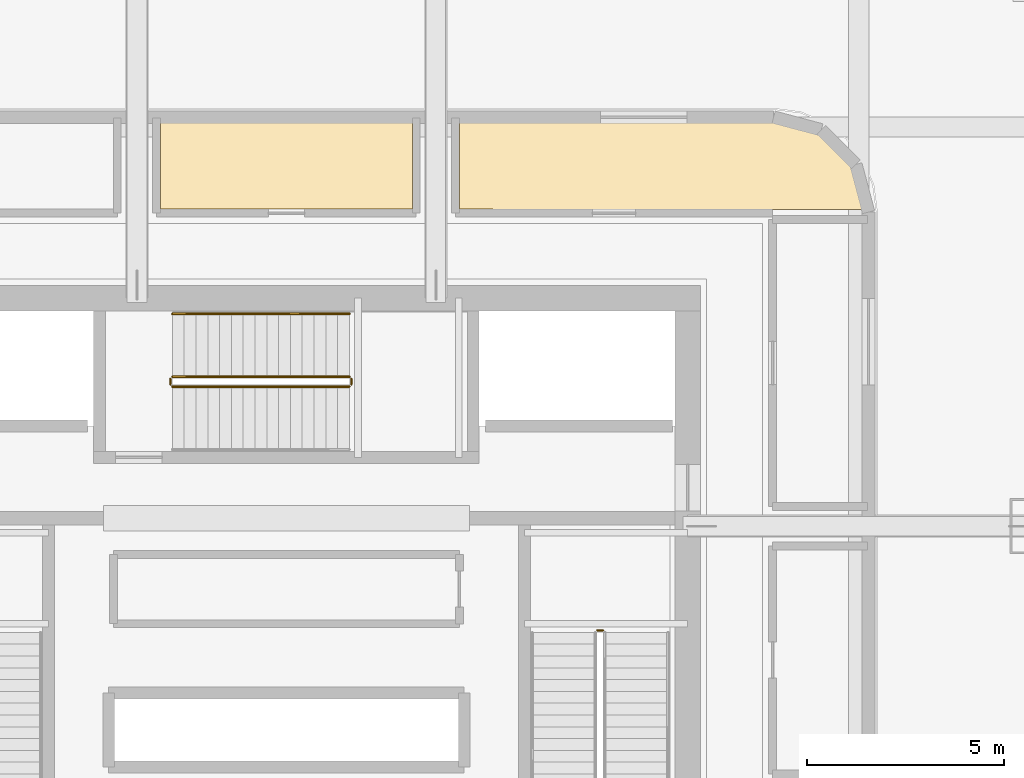
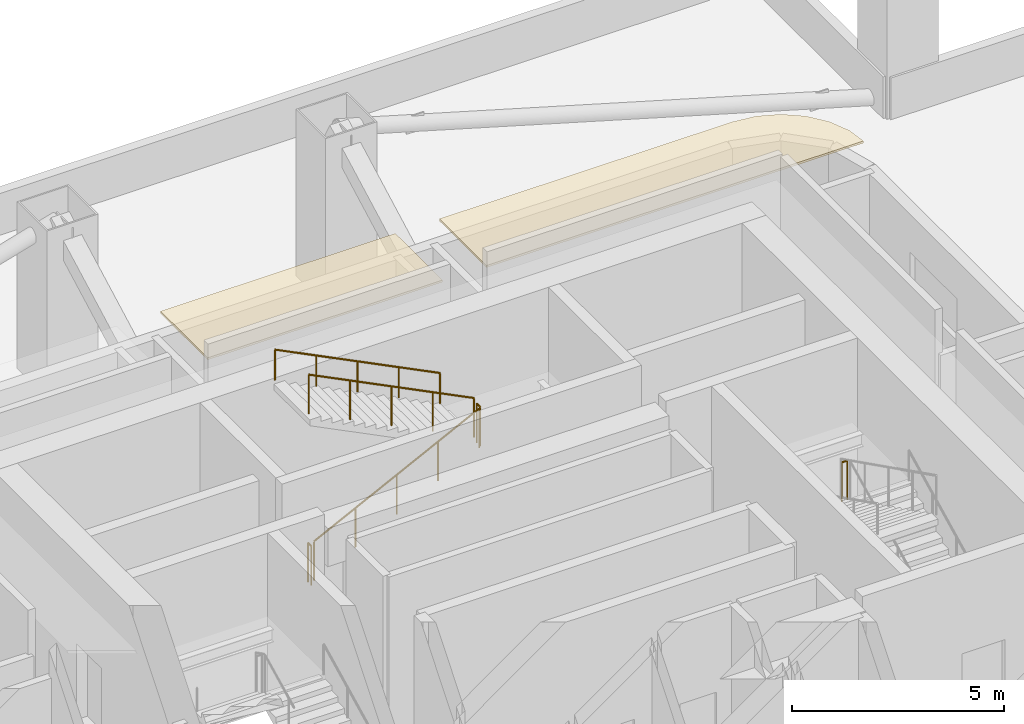
# One storey, part 10 of 10: 6 railings, 2 coverings.
"""IFC4 building model written with IfcOpenShell, lengths in metres."""

from ifc_helpers import new_model, si_unit, direction, frame, origin, origin_2d, place, context, subcontext, project, spatial, polyline, circle, outline, extrude, material, layer, layer_set, type_object, element, save


model = new_model("IFC4")

# Units and contexts
model_context = context("Model", 3, precision=1e-05, world=origin(), true_north=direction((0.0, 1.0)))
body_context = subcontext(model_context, "Body", "Model", "MODEL_VIEW")
ifc_project = project(units=[si_unit("LENGTHUNIT", "METRE"), si_unit("AREAUNIT", "SQUARE_METRE"), si_unit("VOLUMEUNIT", "CUBIC_METRE"), si_unit("PLANEANGLEUNIT", "RADIAN"), si_unit("MASSUNIT", "GRAM", prefix="KILO")], contexts=[model_context])

# Site, building, storey
site_placement = place(None, origin())
site = spatial("IfcSite", under=ifc_project, at=site_placement, CompositionType="ELEMENT")
building_placement = place(site_placement, origin())
building = spatial("IfcBuilding", under=site, at=building_placement, Name="Punatoya Terracotta Tower", CompositionType="ELEMENT")
storey_placement = place(building_placement, frame((0.0, 0.0, 125.39990234375)))
storey = spatial("IfcBuildingStorey", under=building, at=storey_placement, Name="L29", CompositionType="ELEMENT", Elevation=125.39990234375)

# Coverings
ifc_material_1 = material(Name="Acoustic Mineral Fibre Ceiling")
ifc_layer = layer(ifc_material_1, 0.06005859375)
ifc_layer_set = layer_set([ifc_layer], Name="Acoustic Mineral Fibre Ceiling")
covering_type = type_object("IfcCoveringType", Name="COV-CEIL-60", PredefinedType="CEILING", material=ifc_layer_set)
covering_1_placement = place(storey_placement, frame((0.0, 0.0, 3.8701171875)))
element("IfcCovering", 1, at=covering_1_placement, inside=storey, type_object=covering_type, Name="L29 Designated Pressurized Refuge Area North (Central Bay) Acoustic Ceiling", PredefinedType="CEILING", context=body_context, shape_type="SweptSolid", body=[
    extrude(outline(polyline([(3.199951171875, 11.4599609375), (3.199951171875, 13.679931640625), (-3.199951171875, 13.679931640625), (-3.199951171875, 11.4599609375), (3.199951171875, 11.4599609375)])), origin(), (0.0, 0.0, 1.0), 0.06005859375),
])
covering_2_placement = place(storey_placement, frame((0.0, 0.0, 3.8701171875)))
element("IfcCovering", 2, at=covering_2_placement, inside=storey, type_object=covering_type, Name="L29 Designated Pressurized Refuge Area North (East Bay) Acoustic Ceiling", PredefinedType="CEILING", context=body_context, shape_type="SweptSolid", body=[
    extrude(outline(polyline([(12.4599609375, 11.449951171875), (14.670654296875, 11.449951171875), (14.599609375, 11.989501953125), (14.372314453125, 12.53857421875), (14.01025390625, 13.01025390625), (13.53857421875, 13.372314453125), (12.989501953125, 13.599609375), (12.37890625, 13.679931640625), (4.39990234375, 13.679931640625), (4.39990234375, 11.4599609375), (12.4599609375, 11.449951171875)])), origin(), (0.0, 0.0, 1.0), 0.06005859375),
])

# Railings
ifc_material_2 = material(Name="Steel S355", Category="steel")
railing_type_1 = type_object("IfcRailingType", Name="RLG-GRD-1150", PredefinedType="GUARDRAIL", material=ifc_material_2)
railing_1_placement = place(storey_placement, frame((8.050048828125, 0.75, 2.400146484375)))
element("IfcRailing", 3, at=railing_1_placement, inside=storey, type_object=railing_type_1, Name="L29 ST-2 stair guard 2", PredefinedType="GUARDRAIL", context=body_context, shape_type="SweptSolid", body=[
    extrude(circle(Radius=0.02392578125, at=origin_2d()), frame((0.0, 0.0, 1.1259765625), z_axis=(-1.0, 0.0, 0.0), x_axis=(0.0, -1.0, 0.0)), (0.0, 0.0, 1.0), 0.150146484375),
    extrude(circle(Radius=0.02099609375, at=origin_2d()), origin(), (0.0, 0.0, 1.0), 1.101806640625),
    extrude(circle(Radius=0.02099609375, at=origin_2d()), frame((-0.150146484375, 0.0, 0.0)), (0.0, 0.0, 1.0), 1.101806640625),
])
railing_2_placement = place(storey_placement, frame((-2.89990234375, 6.949951171875, 0.150146484375)))
element("IfcRailing", 4, at=railing_2_placement, inside=storey, type_object=railing_type_1, Name="L29 ST-3 stair guard 1", PredefinedType="GUARDRAIL", context=body_context, shape_type="SweptSolid", body=[
    extrude(circle(Radius=0.02392578125, at=origin_2d()), frame((0.0, 0.0, 1.1259765625), z_axis=(0.894427191, 0.0, 0.4472135955), x_axis=(0.0, 1.0, 0.0)), (0.0, 0.0, 1.0), 5.03125),
    extrude(circle(Radius=0.02099609375, at=origin_2d()), origin(), (0.0, 0.0, 1.0), 1.101806640625),
    extrude(circle(Radius=0.02099609375, at=origin_2d()), frame((1.125, 0.0, 0.5625)), (0.0, 0.0, 1.0), 1.101806640625),
    extrude(circle(Radius=0.02099609375, at=origin_2d()), frame((2.25, 0.0, 1.125)), (0.0, 0.0, 1.0), 1.101806640625),
    extrude(circle(Radius=0.02099609375, at=origin_2d()), frame((3.375, 0.0, 1.6875)), (0.0, 0.0, 1.0), 1.101806640625),
    extrude(circle(Radius=0.02099609375, at=origin_2d()), frame((4.5, 0.0, 2.25)), (0.0, 0.0, 1.0), 1.101806640625),
])
railing_3_placement = place(storey_placement, frame((1.64990234375, 7.0, 2.400146484375)))
element("IfcRailing", 5, at=railing_3_placement, inside=storey, type_object=railing_type_1, Name="L29 ST-3 stair guard 2", PredefinedType="GUARDRAIL", context=body_context, shape_type="SweptSolid", body=[
    extrude(circle(Radius=0.02392578125, at=origin_2d()), frame((0.0, 0.0, 1.1259765625), z_axis=(0.0, 1.0, 0.0), x_axis=(-1.0, 0.0, 0.0)), (0.0, 0.0, 1.0), 0.14990234375),
    extrude(circle(Radius=0.02099609375, at=origin_2d()), origin(), (0.0, 0.0, 1.0), 1.101806640625),
    extrude(circle(Radius=0.02099609375, at=origin_2d()), frame((0.0, 0.14990234375, 0.0)), (0.0, 0.0, 1.0), 1.101806640625),
])
railing_4_placement = place(storey_placement, frame((1.60009765625, 7.199951171875, 2.550048828125)))
element("IfcRailing", 6, at=railing_4_placement, inside=storey, type_object=railing_type_1, Name="L29 ST-3 stair guard 3", PredefinedType="GUARDRAIL", context=body_context, shape_type="SweptSolid", body=[
    extrude(circle(Radius=0.02392578125, at=origin_2d()), frame((0.0, 0.0, 1.1259765625), z_axis=(-0.894427191, 0.0, 0.4472135955), x_axis=(0.0, -1.0, 0.0)), (0.0, 0.0, 1.0), 5.03125),
    extrude(circle(Radius=0.02099609375, at=origin_2d()), origin(), (0.0, 0.0, 1.0), 1.101806640625),
    extrude(circle(Radius=0.02099609375, at=origin_2d()), frame((-1.125, 0.0, 0.5625)), (0.0, 0.0, 1.0), 1.101806640625),
    extrude(circle(Radius=0.02099609375, at=origin_2d()), frame((-2.25, 0.0, 1.125)), (0.0, 0.0, 1.0), 1.101806640625),
    extrude(circle(Radius=0.02099609375, at=origin_2d()), frame((-3.375, 0.0, 1.6875)), (0.0, 0.0, 1.0), 1.101806640625),
    extrude(circle(Radius=0.02099609375, at=origin_2d()), frame((-4.5, 0.0, 2.25)), (0.0, 0.0, 1.0), 1.101806640625),
])
railing_5_placement = place(storey_placement, frame((-2.949951171875, 7.0, 0.0)))
element("IfcRailing", 7, at=railing_5_placement, inside=storey, type_object=railing_type_1, Name="L29 ST-3 stair guard 4", PredefinedType="GUARDRAIL", context=body_context, shape_type="SweptSolid", body=[
    extrude(circle(Radius=0.02392578125, at=origin_2d()), frame((0.0, 0.0, 1.1259765625), z_axis=(0.0, 1.0, 0.0), x_axis=(-1.0, 0.0, 0.0)), (0.0, 0.0, 1.0), 0.14990234375),
    extrude(circle(Radius=0.02099609375, at=origin_2d()), origin(), (0.0, 0.0, 1.0), 1.101806640625),
    extrude(circle(Radius=0.02099609375, at=origin_2d()), frame((0.0, 0.14990234375, 0.0)), (0.0, 0.0, 1.0), 1.101806640625),
])
railing_type_2 = type_object("IfcRailingType", Name="RLG-HND-900", PredefinedType="HANDRAIL", material=ifc_material_2)
railing_6_placement = place(storey_placement, frame((1.60009765625, 8.800048828125, 2.550048828125)))
element("IfcRailing", 8, at=railing_6_placement, inside=storey, type_object=railing_type_2, Name="L29 ST-3 stair handrail 2", PredefinedType="HANDRAIL", context=body_context, shape_type="SweptSolid", body=[
    extrude(circle(Radius=0.02392578125, at=origin_2d()), frame((0.0, 0.0, 0.8759765625), z_axis=(-0.894427191, 0.0, 0.4472135955), x_axis=(0.0, -1.0, 0.0)), (0.0, 0.0, 1.0), 5.03125),
    extrude(circle(Radius=0.02099609375, at=origin_2d()), origin(), (0.0, 0.0, 1.0), 0.851806640625),
    extrude(circle(Radius=0.02099609375, at=origin_2d()), frame((-1.125, 0.0, 0.5625)), (0.0, 0.0, 1.0), 0.851806640625),
    extrude(circle(Radius=0.02099609375, at=origin_2d()), frame((-2.25, 0.0, 1.125)), (0.0, 0.0, 1.0), 0.851806640625),
    extrude(circle(Radius=0.02099609375, at=origin_2d()), frame((-3.375, 0.0, 1.6875)), (0.0, 0.0, 1.0), 0.851806640625),
    extrude(circle(Radius=0.02099609375, at=origin_2d()), frame((-4.5, 0.0, 2.25)), (0.0, 0.0, 1.0), 0.851806640625),
])

save(model, "model.ifc")
